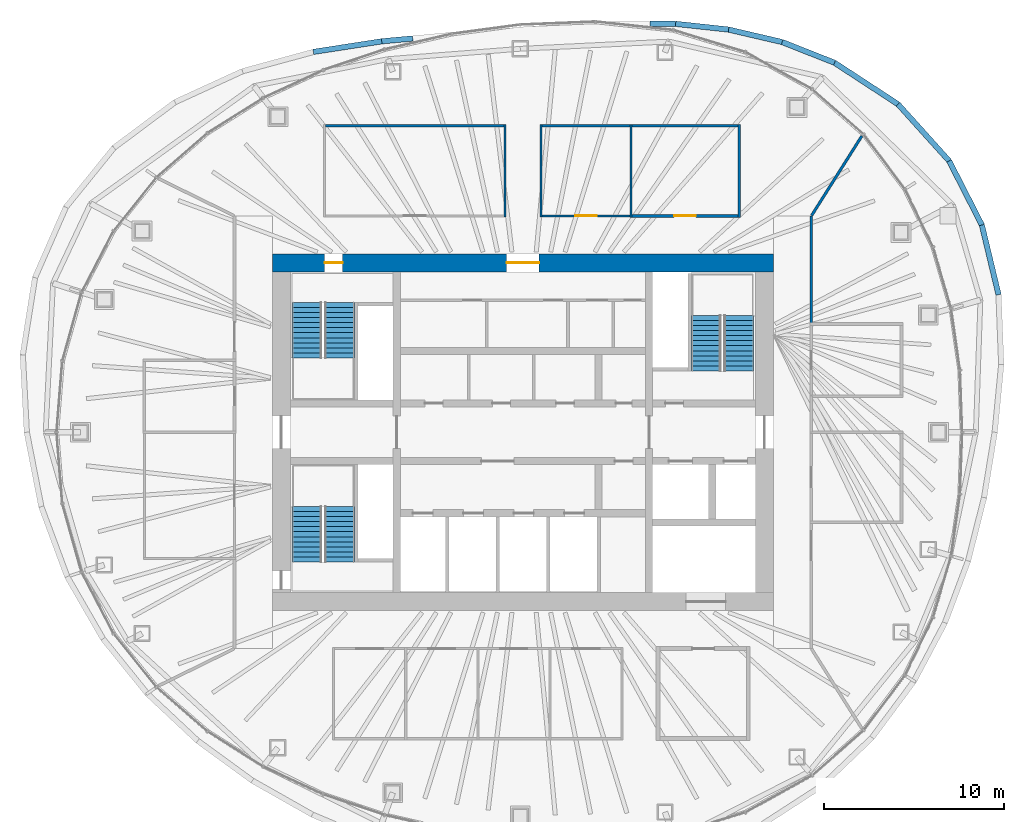
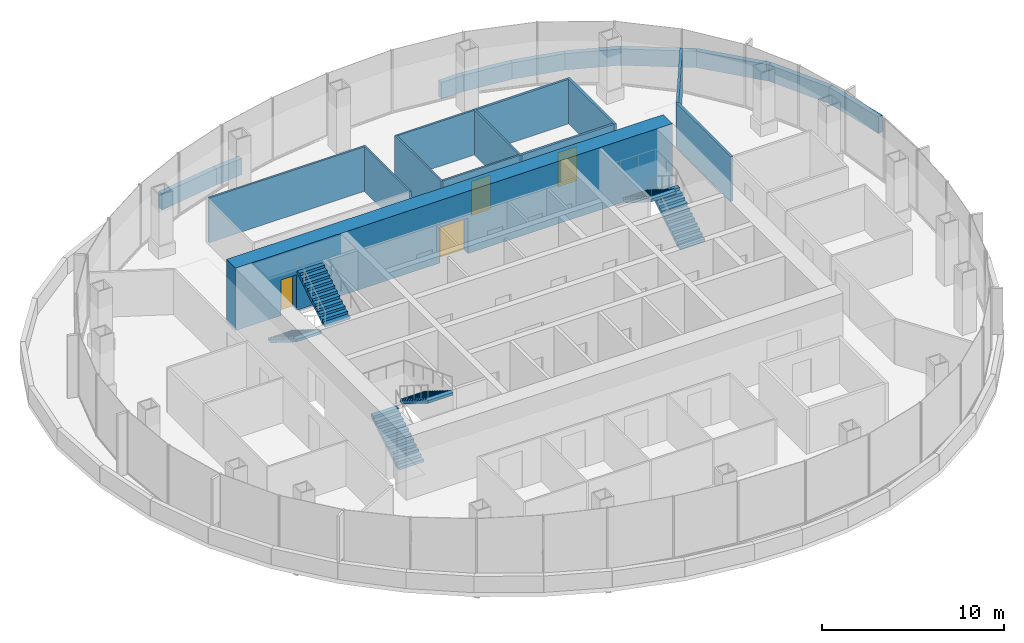
# One storey, part 12 of 13: 22 walls, 6 stair flights, 4 doors, 4 openings, 3 elements without a shape of their own.
"""IFC4 building model written with IfcOpenShell, lengths in metres."""

from ifc_helpers import new_model, si_unit, direction, frame, frame_2d, origin, place, context, subcontext, project, spatial, polyline, rectangle, outline, extrude, material, layer, layer_set, type_object, element, fill, aggregate, save


model = new_model("IFC4")

# Units and contexts
model_context = context("Model", 3, precision=1e-05, world=origin(), true_north=direction((0.0, 1.0)))
body_context = subcontext(model_context, "Body", "Model", "MODEL_VIEW")
ifc_project = project(units=[si_unit("LENGTHUNIT", "METRE"), si_unit("AREAUNIT", "SQUARE_METRE"), si_unit("VOLUMEUNIT", "CUBIC_METRE"), si_unit("PLANEANGLEUNIT", "RADIAN"), si_unit("MASSUNIT", "GRAM", prefix="KILO")], contexts=[model_context])

# Site, building, storey
site_placement = place(None, origin())
site = spatial("IfcSite", under=ifc_project, at=site_placement, CompositionType="ELEMENT")
building_placement = place(site_placement, origin())
building = spatial("IfcBuilding", under=site, at=building_placement, Name="Ghaith Harvest Tower", CompositionType="ELEMENT")
storey_placement = place(building_placement, frame((0.0, 0.0, 271.199951171875)))
storey = spatial("IfcBuildingStorey", under=building, at=storey_placement, Name="L60", CompositionType="ELEMENT", Elevation=271.199951171875)

# Wall, openings, doors
ifc_material_1 = material(Name="Concrete C50/60", Category="concrete")
ifc_layer_1 = layer(ifc_material_1, 1.0)
ifc_layer_set_1 = layer_set([ifc_layer_1], Name="CORE WALL CW1000")
wall_type_1 = type_object("IfcWallType", Name="CORE WALL CW1000", PredefinedType="SHEAR", material=ifc_layer_set_1)
wall_1_placement = place(storey_placement, frame((13.89990234375, 9.39990234375, 0.0), z_axis=(0.0, 0.0, 1.0), x_axis=(-1.0, 0.0, 0.0)))
wall_1 = element("IfcWall", 1, at=wall_1_placement, inside=storey, type_object=wall_type_1, Name="Core wall N L60", PredefinedType="SHEAR", context=body_context, shape_type="SweptSolid", body=[
    extrude(rectangle(XDim=27.7998046875, YDim=1.0, at=frame_2d((13.89990234375, 0.0))), origin(), (0.0, 0.0, 1.0), 4.199951171875),
])
opening_1_placement = place(wall_1_placement, frame((23.89990234375, 0.0, 0.0)))
opening_1 = element("IfcOpeningElement", 2, at=opening_1_placement, cuts=wall_1, Name="Opening 60-005", PredefinedType="OPENING", context=body_context, shape_type="SweptSolid", body=[
    extrude(rectangle(XDim=1.0, YDim=2.39990234375, at=frame_2d((0.5, 1.199951171875))), frame((0.0, 0.510009765625, 0.0), z_axis=(0.0, -1.0, 0.0), x_axis=(1.0, 0.0, 0.0)), (0.0, 0.0, 1.0), 1.02001953125),
])
opening_2_placement = place(wall_1_placement, frame((13.0, 0.0, 0.0)))
opening_2 = element("IfcOpeningElement", 3, at=opening_2_placement, cuts=wall_1, Name="Opening 60-018", PredefinedType="OPENING", context=body_context, shape_type="SweptSolid", body=[
    extrude(rectangle(XDim=1.800048828125, YDim=2.39990234375, at=frame_2d((0.89990234375, 1.199951171875))), frame((0.0, 0.510009765625, 0.0), z_axis=(0.0, -1.0, 0.0), x_axis=(1.0, 0.0, 0.0)), (0.0, 0.0, 1.0), 1.02001953125),
])
ifc_material_2 = material(Name="Steel fire door", Category="steel")
door_type_1 = type_object("IfcDoorType", Name="D3 FD90 1000x2400", OperationType="SINGLE_SWING_LEFT", PredefinedType="DOOR", material=ifc_material_2)
door_1_placement = place(opening_1_placement, origin())
door_1 = element("IfcDoor", 4, at=door_1_placement, inside=storey, type_object=door_type_1, Name="Stair ST1 door", OperationType="SINGLE_SWING_RIGHT", OverallHeight=2.39990234375, OverallWidth=1.0, PredefinedType="DOOR", context=body_context, shape_type="SweptSolid", body=[
    extrude(rectangle(XDim=1.0, YDim=2.39990234375, at=frame_2d((0.5, 1.199951171875))), frame((0.0, 0.02490234375, 0.0), z_axis=(0.0, -1.0, 0.0), x_axis=(1.0, 0.0, 0.0)), (0.0, 0.0, 1.0), 0.050048828125),
])
fill(opening_1, door_1)
ifc_material_3 = material(Name="Steel fire door", Category="steel")
door_type_2 = type_object("IfcDoorType", Name="D4 FD90 PAIR 1800x2400", OperationType="DOUBLE_DOOR_SINGLE_SWING", PredefinedType="DOOR", material=ifc_material_3)
door_2_placement = place(opening_2_placement, origin())
door_2 = element("IfcDoor", 5, at=door_2_placement, inside=storey, type_object=door_type_2, Name="Core service corridor doors", OperationType="DOUBLE_DOOR_SINGLE_SWING", OverallHeight=2.39990234375, OverallWidth=1.800048828125, PredefinedType="DOOR", context=body_context, shape_type="SweptSolid", body=[
    extrude(rectangle(XDim=1.800048828125, YDim=2.39990234375, at=frame_2d((0.89990234375, 1.199951171875))), frame((0.0, 0.02490234375, 0.0), z_axis=(0.0, -1.0, 0.0), x_axis=(1.0, 0.0, 0.0)), (0.0, 0.0, 1.0), 0.050048828125),
])
fill(opening_2, door_2)

# Walls
ifc_material_4 = material(Name="Insulated food-grade panel", Category="steel")
ifc_layer_2 = layer(ifc_material_4, 0.1201171875)
ifc_layer_set_2 = layer_set([ifc_layer_2], Name="INSULATED PANEL WALL 120")
wall_type_2 = type_object("IfcWallType", Name="INSULATED PANEL WALL 120", PredefinedType="PARTITIONING", material=ifc_layer_set_2)
wall_2_placement = place(storey_placement, frame((-1.0, 11.93994140625, 0.0), z_axis=(0.0, 0.0, 1.0), x_axis=(0.0, 1.0, 0.0)))
element("IfcWall", 6, at=wall_2_placement, inside=storey, type_object=wall_type_2, Name="Partition L60 row N1 cross wall 2", PredefinedType="PARTITIONING", context=body_context, shape_type="SweptSolid", body=[
    extrude(rectangle(XDim=5.1201171875, YDim=0.1201171875, at=frame_2d((2.56005859375, 0.0))), origin(), (0.0, 0.0, 1.0), 3.0),
])
wall_3_placement = place(storey_placement, frame((-10.93994140625, 17.0, 0.0), z_axis=(0.0, 0.0, 1.0), x_axis=(1.0, 0.0, 0.0)))
element("IfcWall", 7, at=wall_3_placement, inside=storey, type_object=wall_type_2, Name="Partition L60-01", PredefinedType="PARTITIONING", context=body_context, shape_type="SweptSolid", body=[
    extrude(rectangle(XDim=9.8798828125, YDim=0.1201171875, at=frame_2d((4.93994140625, 0.0))), origin(), (0.0, 0.0, 1.0), 3.0),
])
wall_4_placement = place(storey_placement, frame((1.0, 11.93994140625, 0.0), z_axis=(0.0, 0.0, 1.0), x_axis=(0.0, 1.0, 0.0)))
element("IfcWall", 8, at=wall_4_placement, inside=storey, type_object=wall_type_2, Name="Partition L60 row N2 cross wall 1", PredefinedType="PARTITIONING", context=body_context, shape_type="SweptSolid", body=[
    extrude(rectangle(XDim=5.1201171875, YDim=0.1201171875, at=frame_2d((2.56005859375, 0.0))), origin(), (0.0, 0.0, 1.0), 3.0),
])
wall_5_placement = place(storey_placement, frame((6.0, 11.925048828125, 0.0), z_axis=(0.0, 0.0, 1.0), x_axis=(0.0, 1.0, 0.0)))
element("IfcWall", 9, at=wall_5_placement, inside=storey, type_object=wall_type_2, Name="Partition L60 row N2 cross wall 2", PredefinedType="PARTITIONING", context=body_context, shape_type="SweptSolid", body=[
    extrude(rectangle(XDim=5.14990234375, YDim=0.1201171875, at=frame_2d((2.574951171875, 0.0))), origin(), (0.0, 0.0, 1.0), 3.0),
])

# Wall, opening, door
wall_6_placement = place(storey_placement, frame((1.06005859375, 12.0, 0.0), z_axis=(0.0, 0.0, 1.0), x_axis=(1.0, 0.0, 0.0)))
wall_6 = element("IfcWall", 10, at=wall_6_placement, inside=storey, type_object=wall_type_2, Name="Partition L60-02", PredefinedType="PARTITIONING", context=body_context, shape_type="SweptSolid", body=[
    extrude(rectangle(XDim=4.8798828125, YDim=0.1201171875, at=frame_2d((2.43994140625, 0.0))), origin(), (0.0, 0.0, 1.0), 3.0),
])
opening_3_placement = place(wall_6_placement, frame((1.840087890625, 0.0, 0.0)))
opening_3 = element("IfcOpeningElement", 11, at=opening_3_placement, cuts=wall_6, Name="Opening 60-027", PredefinedType="OPENING", context=body_context, shape_type="SweptSolid", body=[
    extrude(rectangle(XDim=1.199951171875, YDim=2.300048828125, at=frame_2d((0.60009765625, 1.14990234375))), frame((0.0, 0.070068359375, 0.0), z_axis=(0.0, -1.0, 0.0), x_axis=(1.0, 0.0, 0.0)), (0.0, 0.0, 1.0), 0.14013671875),
])
ifc_material_5 = material(Name="Timber door with vision panel", Category="wood")
door_type_3 = type_object("IfcDoorType", Name="D15 LABORATORY 1200x2300", OperationType="SINGLE_SWING_LEFT", PredefinedType="DOOR", material=ifc_material_5)
door_3_placement = place(opening_3_placement, origin())
door_3 = element("IfcDoor", 12, at=door_3_placement, inside=storey, type_object=door_type_3, Name="Sterile transfer room door", OperationType="SINGLE_SWING_LEFT", OverallHeight=2.300048828125, OverallWidth=1.199951171875, PredefinedType="DOOR", context=body_context, shape_type="SweptSolid", body=[
    extrude(rectangle(XDim=1.199951171875, YDim=2.300048828125, at=frame_2d((0.60009765625, 1.14990234375))), frame((0.0, 0.02490234375, 0.0), z_axis=(0.0, -1.0, 0.0), x_axis=(1.0, 0.0, 0.0)), (0.0, 0.0, 1.0), 0.050048828125),
])
fill(opening_3, door_3)

# Walls
wall_7_placement = place(storey_placement, frame((1.06005859375, 17.0, 0.0), z_axis=(0.0, 0.0, 1.0), x_axis=(1.0, 0.0, 0.0)))
element("IfcWall", 13, at=wall_7_placement, inside=storey, type_object=wall_type_2, Name="Partition L60-02", PredefinedType="PARTITIONING", context=body_context, shape_type="SweptSolid", body=[
    extrude(rectangle(XDim=4.8798828125, YDim=0.1201171875, at=frame_2d((2.43994140625, 0.0))), origin(), (0.0, 0.0, 1.0), 3.0),
])
ifc_material_6 = material(Name="Concrete C40/50", Category="concrete")
ifc_layer_3 = layer(ifc_material_6, 0.300048828125)
ifc_layer_set_3 = layer_set([ifc_layer_3], Name="PARAPET 300")
wall_type_3 = type_object("IfcWallType", Name="PARAPET 300", PredefinedType="PARAPET", material=ifc_layer_set_3)
wall_8_placement = place(storey_placement, frame((26.386962890625, 7.62646484375, 0.0), z_axis=(0.0, 0.0, 1.0), x_axis=(-0.232773911771, 0.97253087663, 0.0)))
element("IfcWall", 14, at=wall_8_placement, inside=storey, type_object=wall_type_3, Name="Parapet 02.1 L60", PredefinedType="PARAPET", context=body_context, shape_type="SweptSolid", body=[
    extrude(rectangle(XDim=3.97705078125, YDim=0.300048828125, at=frame_2d((1.988525390625, 0.0))), origin(), (0.0, 0.0, 1.0), 1.10009765625),
])
wall_9_placement = place(storey_placement, frame((25.461181640625, 11.494384765625, 0.0), z_axis=(0.0, 0.0, 1.0), x_axis=(-0.454710050017, 0.890639528885, 0.0)))
element("IfcWall", 15, at=wall_9_placement, inside=storey, type_object=wall_type_3, Name="Parapet 02.2 L60", PredefinedType="PARAPET", context=body_context, shape_type="SweptSolid", body=[
    extrude(rectangle(XDim=3.990966796875, YDim=0.300048828125, at=frame_2d((1.99560546875, 0.0))), origin(), (0.0, 0.0, 1.0), 1.10009765625),
])
wall_10_placement = place(storey_placement, frame((23.646484375, 15.048828125, 0.0), z_axis=(0.0, 0.0, 1.0), x_axis=(-0.669419829653, 0.742884305708, 0.0)))
element("IfcWall", 16, at=wall_10_placement, inside=storey, type_object=wall_type_3, Name="Parapet 03.1 L60", PredefinedType="PARAPET", context=body_context, shape_type="SweptSolid", body=[
    extrude(rectangle(XDim=4.237060546875, YDim=0.300048828125, at=frame_2d((2.11865234375, 0.0))), origin(), (0.0, 0.0, 1.0), 1.10009765625),
])
wall_11_placement = place(storey_placement, frame((20.81005859375, 18.196533203125, 0.0), z_axis=(0.0, 0.0, 1.0), x_axis=(-0.837303557123, 0.546738285863, 0.0)))
element("IfcWall", 17, at=wall_11_placement, inside=storey, type_object=wall_type_3, Name="Parapet 03.2 L60", PredefinedType="PARAPET", context=body_context, shape_type="SweptSolid", body=[
    extrude(rectangle(XDim=4.20947265625, YDim=0.300048828125, at=frame_2d((2.104736328125, 0.0))), origin(), (0.0, 0.0, 1.0), 1.10009765625),
])
wall_12_placement = place(storey_placement, frame((17.285400390625, 20.498046875, 0.0), z_axis=(0.0, 0.0, 1.0), x_axis=(-0.93007307549, 0.36737456941, 0.0)))
element("IfcWall", 18, at=wall_12_placement, inside=storey, type_object=wall_type_3, Name="Parapet 04.1 L60", PredefinedType="PARAPET", context=body_context, shape_type="SweptSolid", body=[
    extrude(rectangle(XDim=3.1259765625, YDim=0.300048828125, at=frame_2d((1.56298828125, 0.0))), origin(), (0.0, 0.0, 1.0), 1.10009765625),
])
wall_13_placement = place(storey_placement, frame((14.3779296875, 21.646484375, 0.0), z_axis=(0.0, 0.0, 1.0), x_axis=(-0.973947271166, 0.226774586291, 0.0)))
element("IfcWall", 19, at=wall_13_placement, inside=storey, type_object=wall_type_3, Name="Parapet 04.2 L60", PredefinedType="PARAPET", context=body_context, shape_type="SweptSolid", body=[
    extrude(rectangle(XDim=3.05322265625, YDim=0.300048828125, at=frame_2d((1.526611328125, 0.0))), origin(), (0.0, 0.0, 1.0), 1.10009765625),
])
wall_14_placement = place(storey_placement, frame((11.404296875, 22.3388671875, 0.0), z_axis=(0.0, 0.0, 1.0), x_axis=(-0.994202268976, 0.107526035746, 0.0)))
element("IfcWall", 20, at=wall_14_placement, inside=storey, type_object=wall_type_3, Name="Parapet 04.3 L60", PredefinedType="PARAPET", context=body_context, shape_type="SweptSolid", body=[
    extrude(rectangle(XDim=2.95166015625, YDim=0.300048828125, at=frame_2d((1.475830078125, 0.0))), origin(), (0.0, 0.0, 1.0), 1.10009765625),
])
wall_15_placement = place(storey_placement, frame((8.4697265625, 22.65625, 0.0), z_axis=(0.0, 0.0, 1.0), x_axis=(-0.999986833016, -0.005131646423, 0.0)))
element("IfcWall", 21, at=wall_15_placement, inside=storey, type_object=wall_type_3, Name="Parapet 05.1 L60", PredefinedType="PARAPET", context=body_context, shape_type="SweptSolid", body=[
    extrude(rectangle(XDim=1.42724609375, YDim=0.300048828125, at=frame_2d((0.713623046875, 0.0))), origin(), (0.0, 0.0, 1.0), 1.10009765625),
])
wall_16_placement = place(storey_placement, frame((-6.111328125, 21.844970703125, 0.0), z_axis=(0.0, 0.0, 1.0), x_axis=(-0.995803587649, -0.091516199801, 0.0)))
element("IfcWall", 22, at=wall_16_placement, inside=storey, type_object=wall_type_3, Name="Parapet 06.2 L60", PredefinedType="PARAPET", context=body_context, shape_type="SweptSolid", body=[
    extrude(rectangle(XDim=1.728759765625, YDim=0.300048828125, at=frame_2d((0.8642578125, 0.0))), origin(), (0.0, 0.0, 1.0), 1.10009765625),
])
wall_17_placement = place(storey_placement, frame((-7.832763671875, 21.686767578125, 0.0), z_axis=(0.0, 0.0, 1.0), x_axis=(-0.988226241956, -0.152999655913, 0.0)))
element("IfcWall", 23, at=wall_17_placement, inside=storey, type_object=wall_type_3, Name="Parapet 07.1 L60", PredefinedType="PARAPET", context=body_context, shape_type="SweptSolid", body=[
    extrude(rectangle(XDim=3.83447265625, YDim=0.300048828125, at=frame_2d((1.917236328125, 0.0))), origin(), (0.0, 0.0, 1.0), 1.10009765625),
])
ifc_material_7 = material(Name="Gypsum board on steel studs", Category="steel")
ifc_layer_4 = layer(ifc_material_7, 0.14990234375)
ifc_layer_set_4 = layer_set([ifc_layer_4], Name="PARTITION 150")
wall_type_4 = type_object("IfcWallType", Name="PARTITION 150", PredefinedType="PARTITIONING", material=ifc_layer_set_4)
wall_18_placement = place(storey_placement, frame((12.0, 11.925048828125, 0.0), z_axis=(0.0, 0.0, 1.0), x_axis=(0.0, 1.0, 0.0)))
element("IfcWall", 24, at=wall_18_placement, inside=storey, type_object=wall_type_4, Name="Partition L60 row N2 cross wall 3", PredefinedType="PARTITIONING", context=body_context, shape_type="SweptSolid", body=[
    extrude(rectangle(XDim=5.14990234375, YDim=0.14990234375, at=frame_2d((2.574951171875, 0.0))), origin(), (0.0, 0.0, 1.0), 3.0),
])

# Wall, opening, door
wall_19_placement = place(storey_placement, frame((6.06005859375, 12.0, 0.0), z_axis=(0.0, 0.0, 1.0), x_axis=(1.0, 0.0, 0.0)))
wall_19 = element("IfcWall", 25, at=wall_19_placement, inside=storey, type_object=wall_type_4, Name="Partition L60-03", PredefinedType="PARTITIONING", context=body_context, shape_type="SweptSolid", body=[
    extrude(rectangle(XDim=5.864990234375, YDim=0.14990234375, at=frame_2d((2.9326171875, 0.0))), origin(), (0.0, 0.0, 1.0), 3.0),
])
opening_4_placement = place(wall_19_placement, frame((2.33251953125, 0.0, 0.0)))
opening_4 = element("IfcOpeningElement", 26, at=opening_4_placement, cuts=wall_19, Name="Opening 60-028", PredefinedType="OPENING", context=body_context, shape_type="SweptSolid", body=[
    extrude(rectangle(XDim=1.199951171875, YDim=2.300048828125, at=frame_2d((0.60009765625, 1.14990234375))), frame((0.0, 0.0849609375, 0.0), z_axis=(0.0, -1.0, 0.0), x_axis=(1.0, 0.0, 0.0)), (0.0, 0.0, 1.0), 0.169921875),
])
door_4_placement = place(opening_4_placement, origin())
door_4 = element("IfcDoor", 27, at=door_4_placement, inside=storey, type_object=door_type_3, Name="Media preparation room door", OperationType="SINGLE_SWING_LEFT", OverallHeight=2.300048828125, OverallWidth=1.199951171875, PredefinedType="DOOR", context=body_context, shape_type="SweptSolid", body=[
    extrude(rectangle(XDim=1.199951171875, YDim=2.300048828125, at=frame_2d((0.60009765625, 1.14990234375))), frame((0.0, 0.02490234375, 0.0), z_axis=(0.0, -1.0, 0.0), x_axis=(1.0, 0.0, 0.0)), (0.0, 0.0, 1.0), 0.050048828125),
])
fill(opening_4, door_4)

# Walls
wall_20_placement = place(storey_placement, frame((6.06005859375, 17.0, 0.0), z_axis=(0.0, 0.0, 1.0), x_axis=(1.0, 0.0, 0.0)))
element("IfcWall", 28, at=wall_20_placement, inside=storey, type_object=wall_type_4, Name="Partition L60-03", PredefinedType="PARTITIONING", context=body_context, shape_type="SweptSolid", body=[
    extrude(rectangle(XDim=5.864990234375, YDim=0.14990234375, at=frame_2d((2.9326171875, 0.0))), origin(), (0.0, 0.0, 1.0), 3.0),
])
wall_21_placement = place(storey_placement, frame((16.0107421875, 12.016845703125, 0.0), z_axis=(0.0, 0.0, 1.0), x_axis=(0.53415837449, 0.845384427916, 0.0)))
element("IfcWall", 29, at=wall_21_placement, inside=storey, type_object=wall_type_4, Name="Partition L60 zone division", PredefinedType="PARTITIONING", context=body_context, shape_type="SweptSolid", body=[
    extrude(rectangle(XDim=5.220458984375, YDim=0.14990234375, at=frame_2d((2.6103515625, 0.0))), origin(), (0.0, 0.0, 1.0), 3.0),
])
wall_22_placement = place(storey_placement, frame((16.0, 6.0, 0.0), z_axis=(0.0, 0.0, 1.0), x_axis=(0.0, 1.0, 0.0)))
element("IfcWall", 30, at=wall_22_placement, inside=storey, type_object=wall_type_4, Name="Partition L60 zone enclosure", PredefinedType="PARTITIONING", context=body_context, shape_type="SweptSolid", body=[
    extrude(rectangle(XDim=6.0, YDim=0.14990234375, at=frame_2d((3.0, 0.0))), origin(), (0.0, 0.0, 1.0), 3.0),
])

# Stair, stair flights
ifc_material_8 = material(Name="Concrete C40/50, precast", Category="concrete")
stair_type = type_object("IfcStairType", Name="CORE STAIR 24R", PredefinedType="HALF_TURN_STAIR", material=ifc_material_8)
stair_1_placement = place(storey_placement, origin())
stair_1 = element("IfcStair", 31, at=stair_1_placement, inside=storey, type_object=stair_type, Name="Stair ST1 L60", PredefinedType="HALF_TURN_STAIR")
ifc_material_9 = material(Name="Concrete C40/50, precast", Category="concrete")
stair_flight_type = type_object("IfcStairFlightType", Name="CORE FLIGHT 12R 1600", PredefinedType="STRAIGHT", material=ifc_material_9)
stair_flight_1_placement = place(storey_placement, frame((-12.0, 7.199951171875, 0.0), z_axis=(0.0, 0.0, 1.0), x_axis=(0.0, -1.0, 0.0)))
stair_flight_1 = element("IfcStairFlight", 32, at=stair_flight_1_placement, type_object=stair_flight_type, Name="ST1 flight 1", NumberOfRisers=12, NumberOfTreads=11, PredefinedType="STRAIGHT", RiserHeight=0.175, TreadLength=0.28, context=body_context, shape_type="SweptSolid", body=[
    extrude(outline(polyline([(0.0, 0.0), (0.0, 0.175048828125), (0.280029296875, 0.175048828125), (0.280029296875, 0.35009765625), (0.56005859375, 0.35009765625), (0.56005859375, 0.52490234375), (0.840087890625, 0.52490234375), (0.840087890625, 0.699951171875), (1.1201171875, 0.699951171875), (1.1201171875, 0.875), (1.39990234375, 0.875), (1.39990234375, 1.050048828125), (1.679931640625, 1.050048828125), (1.679931640625, 1.22509765625), (1.9599609375, 1.22509765625), (1.9599609375, 1.39990234375), (2.239990234375, 1.39990234375), (2.239990234375, 1.574951171875), (2.52001953125, 1.574951171875), (2.52001953125, 1.75), (2.800048828125, 1.75), (2.800048828125, 1.925048828125), (3.080078125, 1.925048828125), (3.080078125, 2.10009765625), (3.080078125, 1.748291015625), (0.28271484375, 0.0), (0.0, 0.0)])), frame((0.0, 0.800048828125, 0.0), z_axis=(0.0, -1.0, 0.0), x_axis=(1.0, 0.0, 0.0)), (0.0, 0.0, 1.0), 1.60009765625),
])
stair_flight_2_placement = place(storey_placement, frame((-10.14990234375, 4.1201171875, 2.10009765625), z_axis=(0.0, 0.0, 1.0), x_axis=(0.0, 1.0, 0.0)))
stair_flight_2 = element("IfcStairFlight", 33, at=stair_flight_2_placement, type_object=stair_flight_type, Name="ST1 flight 2", NumberOfRisers=12, NumberOfTreads=11, PredefinedType="STRAIGHT", RiserHeight=0.175, TreadLength=0.28, context=body_context, shape_type="SweptSolid", body=[
    extrude(outline(polyline([(0.0, 0.0), (0.0, 0.175048828125), (0.280029296875, 0.175048828125), (0.280029296875, 0.35009765625), (0.56005859375, 0.35009765625), (0.56005859375, 0.52490234375), (0.840087890625, 0.52490234375), (0.840087890625, 0.699951171875), (1.1201171875, 0.699951171875), (1.1201171875, 0.875), (1.39990234375, 0.875), (1.39990234375, 1.050048828125), (1.679931640625, 1.050048828125), (1.679931640625, 1.22509765625), (1.9599609375, 1.22509765625), (1.9599609375, 1.39990234375), (2.239990234375, 1.39990234375), (2.239990234375, 1.574951171875), (2.52001953125, 1.574951171875), (2.52001953125, 1.75), (2.800048828125, 1.75), (2.800048828125, 1.925048828125), (3.080078125, 1.925048828125), (3.080078125, 2.10009765625), (3.080078125, 1.748291015625), (0.28271484375, 0.0), (0.0, 0.0)])), frame((0.0, 0.800048828125, 0.0), z_axis=(0.0, -1.0, 0.0), x_axis=(1.0, 0.0, 0.0)), (0.0, 0.0, 1.0), 1.60009765625),
])
aggregate(stair_1, [stair_flight_1, stair_flight_2])

stair_2_placement = place(storey_placement, origin())
stair_2 = element("IfcStair", 34, at=stair_2_placement, inside=storey, type_object=stair_type, Name="Stair ST3 L60", PredefinedType="HALF_TURN_STAIR")
stair_flight_3_placement = place(storey_placement, frame((-12.0, -7.199951171875, 0.0), z_axis=(0.0, 0.0, 1.0), x_axis=(0.0, 1.0, 0.0)))
stair_flight_3 = element("IfcStairFlight", 35, at=stair_flight_3_placement, type_object=stair_flight_type, Name="ST3 flight 1", NumberOfRisers=12, NumberOfTreads=11, PredefinedType="STRAIGHT", RiserHeight=0.175, TreadLength=0.28, context=body_context, shape_type="SweptSolid", body=[
    extrude(outline(polyline([(0.0, 0.0), (0.0, 0.175048828125), (0.280029296875, 0.175048828125), (0.280029296875, 0.35009765625), (0.56005859375, 0.35009765625), (0.56005859375, 0.52490234375), (0.840087890625, 0.52490234375), (0.840087890625, 0.699951171875), (1.1201171875, 0.699951171875), (1.1201171875, 0.875), (1.39990234375, 0.875), (1.39990234375, 1.050048828125), (1.679931640625, 1.050048828125), (1.679931640625, 1.22509765625), (1.9599609375, 1.22509765625), (1.9599609375, 1.39990234375), (2.239990234375, 1.39990234375), (2.239990234375, 1.574951171875), (2.52001953125, 1.574951171875), (2.52001953125, 1.75), (2.800048828125, 1.75), (2.800048828125, 1.925048828125), (3.080078125, 1.925048828125), (3.080078125, 2.10009765625), (3.080078125, 1.748291015625), (0.28271484375, 0.0), (0.0, 0.0)])), frame((0.0, 0.800048828125, 0.0), z_axis=(0.0, -1.0, 0.0), x_axis=(1.0, 0.0, 0.0)), (0.0, 0.0, 1.0), 1.60009765625),
])
stair_flight_4_placement = place(storey_placement, frame((-10.14990234375, -4.1201171875, 2.10009765625), z_axis=(0.0, 0.0, 1.0), x_axis=(0.0, -1.0, 0.0)))
stair_flight_4 = element("IfcStairFlight", 36, at=stair_flight_4_placement, type_object=stair_flight_type, Name="ST3 flight 2", NumberOfRisers=12, NumberOfTreads=11, PredefinedType="STRAIGHT", RiserHeight=0.175, TreadLength=0.28, context=body_context, shape_type="SweptSolid", body=[
    extrude(outline(polyline([(0.0, 0.0), (0.0, 0.175048828125), (0.280029296875, 0.175048828125), (0.280029296875, 0.35009765625), (0.56005859375, 0.35009765625), (0.56005859375, 0.52490234375), (0.840087890625, 0.52490234375), (0.840087890625, 0.699951171875), (1.1201171875, 0.699951171875), (1.1201171875, 0.875), (1.39990234375, 0.875), (1.39990234375, 1.050048828125), (1.679931640625, 1.050048828125), (1.679931640625, 1.22509765625), (1.9599609375, 1.22509765625), (1.9599609375, 1.39990234375), (2.239990234375, 1.39990234375), (2.239990234375, 1.574951171875), (2.52001953125, 1.574951171875), (2.52001953125, 1.75), (2.800048828125, 1.75), (2.800048828125, 1.925048828125), (3.080078125, 1.925048828125), (3.080078125, 2.10009765625), (3.080078125, 1.748291015625), (0.28271484375, 0.0), (0.0, 0.0)])), frame((0.0, 0.800048828125, 0.0), z_axis=(0.0, -1.0, 0.0), x_axis=(1.0, 0.0, 0.0)), (0.0, 0.0, 1.0), 1.60009765625),
])
aggregate(stair_2, [stair_flight_3, stair_flight_4])

stair_3_placement = place(storey_placement, origin())
stair_3 = element("IfcStair", 37, at=stair_3_placement, inside=storey, type_object=stair_type, Name="Stair ST2 L60", PredefinedType="HALF_TURN_STAIR")
stair_flight_5_placement = place(storey_placement, frame((12.0, 3.39990234375, 0.0), z_axis=(0.0, 0.0, 1.0), x_axis=(0.0, 1.0, 0.0)))
stair_flight_5 = element("IfcStairFlight", 38, at=stair_flight_5_placement, type_object=stair_flight_type, Name="ST2 flight 1", NumberOfRisers=12, NumberOfTreads=11, PredefinedType="STRAIGHT", RiserHeight=0.175, TreadLength=0.28, context=body_context, shape_type="SweptSolid", body=[
    extrude(outline(polyline([(0.0, 0.0), (0.0, 0.175048828125), (0.280029296875, 0.175048828125), (0.280029296875, 0.35009765625), (0.56005859375, 0.35009765625), (0.56005859375, 0.52490234375), (0.840087890625, 0.52490234375), (0.840087890625, 0.699951171875), (1.1201171875, 0.699951171875), (1.1201171875, 0.875), (1.39990234375, 0.875), (1.39990234375, 1.050048828125), (1.679931640625, 1.050048828125), (1.679931640625, 1.22509765625), (1.9599609375, 1.22509765625), (1.9599609375, 1.39990234375), (2.239990234375, 1.39990234375), (2.239990234375, 1.574951171875), (2.52001953125, 1.574951171875), (2.52001953125, 1.75), (2.800048828125, 1.75), (2.800048828125, 1.925048828125), (3.080078125, 1.925048828125), (3.080078125, 2.10009765625), (3.080078125, 1.748291015625), (0.28271484375, 0.0), (0.0, 0.0)])), frame((0.0, 0.800048828125, 0.0), z_axis=(0.0, -1.0, 0.0), x_axis=(1.0, 0.0, 0.0)), (0.0, 0.0, 1.0), 1.60009765625),
])
stair_flight_6_placement = place(storey_placement, frame((10.14990234375, 6.47998046875, 2.10009765625), z_axis=(0.0, 0.0, 1.0), x_axis=(0.0, -1.0, 0.0)))
stair_flight_6 = element("IfcStairFlight", 39, at=stair_flight_6_placement, type_object=stair_flight_type, Name="ST2 flight 2", NumberOfRisers=12, NumberOfTreads=11, PredefinedType="STRAIGHT", RiserHeight=0.175, TreadLength=0.28, context=body_context, shape_type="SweptSolid", body=[
    extrude(outline(polyline([(0.0, 0.0), (0.0, 0.175048828125), (0.280029296875, 0.175048828125), (0.280029296875, 0.35009765625), (0.56005859375, 0.35009765625), (0.56005859375, 0.52490234375), (0.840087890625, 0.52490234375), (0.840087890625, 0.699951171875), (1.1201171875, 0.699951171875), (1.1201171875, 0.875), (1.39990234375, 0.875), (1.39990234375, 1.050048828125), (1.679931640625, 1.050048828125), (1.679931640625, 1.22509765625), (1.9599609375, 1.22509765625), (1.9599609375, 1.39990234375), (2.239990234375, 1.39990234375), (2.239990234375, 1.574951171875), (2.52001953125, 1.574951171875), (2.52001953125, 1.75), (2.800048828125, 1.75), (2.800048828125, 1.925048828125), (3.080078125, 1.925048828125), (3.080078125, 2.10009765625), (3.080078125, 1.748291015625), (0.28271484375, 0.0), (0.0, 0.0)])), frame((0.0, 0.800048828125, 0.0), z_axis=(0.0, -1.0, 0.0), x_axis=(1.0, 0.0, 0.0)), (0.0, 0.0, 1.0), 1.60009765625),
])
aggregate(stair_3, [stair_flight_5, stair_flight_6])

save(model, "model.ifc")
